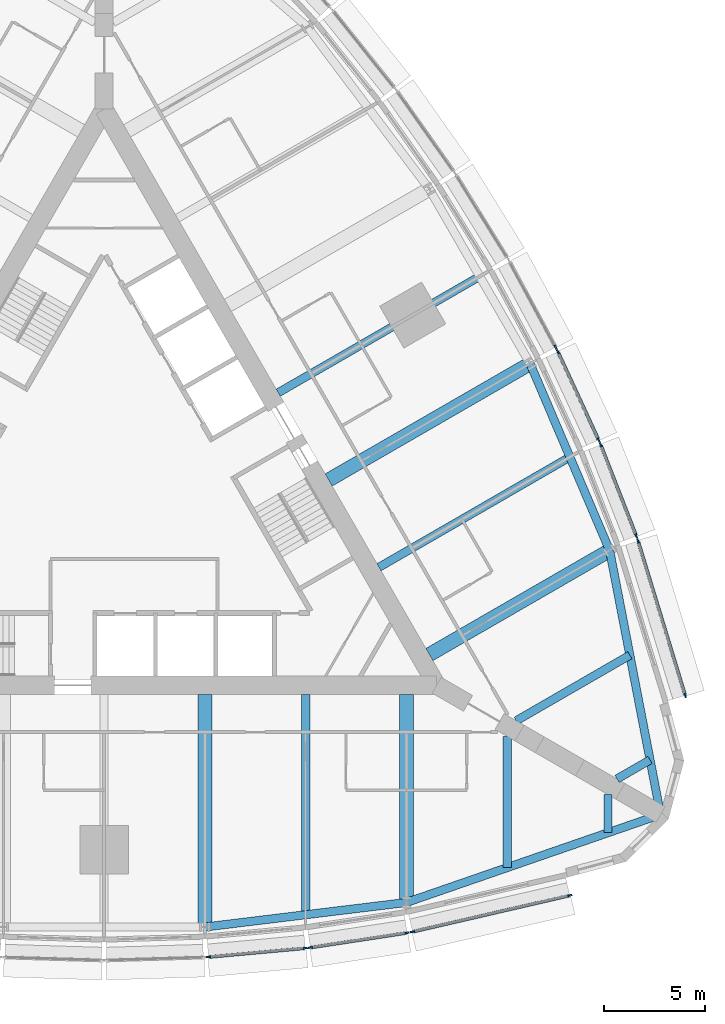
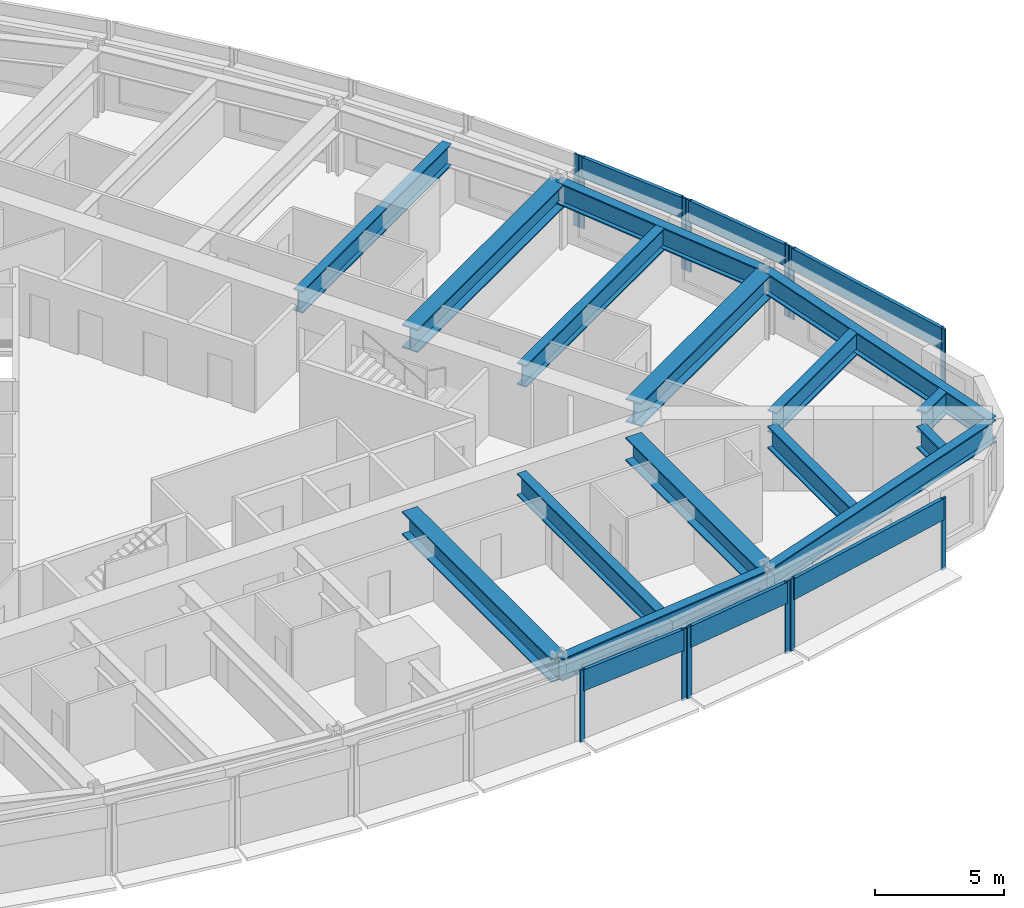
# One storey, part 3 of 14: 19 members, 15 beams, 7 elements without a shape of their own.
"""IFC4 building model written with IfcOpenShell, lengths in metres."""

import ifcopenshell
import ifcopenshell.guid

model = None  # the IFC model being written
_history = None  # IfcOwnerHistory: only IFC2X3 demands one
_inside = {}  # id of a spatial element -> (the spatial element, [elements in it])
_under = {}  # id of a project, library or spatial element -> (it, [spatial elements below it])
_declared = {}  # id of a project -> (the project, [libraries it declares])
_typed = {}  # id of a type object -> (the type object, [elements of that type])
_made_of = {}  # id of a material, layer set ... -> (it, [elements and type objects made of it])


def new_model(schema):
    """Start an empty IFC model of exactly this schema.

    Asked for "IFC4X3", IfcOpenShell would pick the latest addendum, in which some entities
    have other attributes; the version numbers below select the first issue.
    IFC2X3 requires an IfcOwnerHistory on every rooted entity: one is made here for all.
    """
    global model, _history
    if schema == "IFC4X3":
        model = ifcopenshell.file(schema_version=(4, 3, 0, 0))
    else:
        model = ifcopenshell.file(schema=schema)
    _inside.clear()
    _under.clear()
    _declared.clear()
    _typed.clear()
    _made_of.clear()
    _history = None
    if model.schema == "IFC2X3":
        org = make("IfcOrganization", Name="unknown")
        user = make(
            "IfcPersonAndOrganization",
            ThePerson=make("IfcPerson", FamilyName="unknown"),
            TheOrganization=org,
        )
        app = make(
            "IfcApplication",
            ApplicationDeveloper=org,
            Version="unknown",
            ApplicationFullName="unknown",
            ApplicationIdentifier="unknown",
        )
        _history = make(
            "IfcOwnerHistory",
            OwningUser=user,
            OwningApplication=app,
            ChangeAction="ADDED",
            CreationDate=0,
        )
    return model


def make(cls, **values):
    """One entity of the class cls with the attributes given. An attribute that is None is left unset."""
    return model.create_entity(
        cls, **{name: value for name, value in values.items() if value is not None}
    )


def rooted(cls, **values):
    """An entity with a GlobalId (a new one), such as an element, a storey or a relation."""
    return make(cls, GlobalId=ifcopenshell.guid.new(), OwnerHistory=_history, **values)


def si_unit(unit_type, name, prefix=None):
    """IfcSIUnit, for example si_unit("LENGTHUNIT", "METRE", prefix="MILLI")."""
    return make("IfcSIUnit", UnitType=unit_type, Prefix=prefix, Name=name)


def assignment(units):
    """IfcUnitAssignment: the units of a project."""
    return None if units is None else make("IfcUnitAssignment", Units=units)


def point(xyz):
    """IfcCartesianPoint."""
    return None if xyz is None else make("IfcCartesianPoint", Coordinates=xyz)


def direction(xyz):
    """IfcDirection."""
    return None if xyz is None else make("IfcDirection", DirectionRatios=xyz)


def frame(location, z_axis=None, x_axis=None):
    """IfcAxis2Placement3D, a coordinate frame: its origin and axes. An axis left out is left unset."""
    return make(
        "IfcAxis2Placement3D",
        Location=point(location),
        Axis=direction(z_axis),
        RefDirection=direction(x_axis),
    )


def frame_2d(location, x_axis=None):
    """IfcAxis2Placement2D, a coordinate frame in the plane: its origin and x axis."""
    return make(
        "IfcAxis2Placement2D", Location=point(location), RefDirection=direction(x_axis)
    )


def origin():
    """The frame at (0, 0, 0) with its axes left unset."""
    return frame((0.0, 0.0, 0.0))


def origin_2d():
    """The frame at (0, 0) in the plane with its x axis left unset."""
    return frame_2d((0.0, 0.0))


def place(relative_to, where):
    """IfcLocalPlacement: puts the frame where relative to a parent placement (None: the world)."""
    return make(
        "IfcLocalPlacement", PlacementRelTo=relative_to, RelativePlacement=where
    )


def context(
    kind, dimensions, precision=None, world=None, true_north=None, identifier=None
):
    """IfcGeometricRepresentationContext, for example the 3D "Model" context."""
    return make(
        "IfcGeometricRepresentationContext",
        ContextIdentifier=identifier,
        ContextType=kind,
        CoordinateSpaceDimension=dimensions,
        Precision=precision,
        WorldCoordinateSystem=world,
        TrueNorth=true_north,
    )


def subcontext(parent, identifier, kind, view, scale=None):
    """IfcGeometricRepresentationSubContext, for example "Body" below "Model"."""
    return make(
        "IfcGeometricRepresentationSubContext",
        ContextIdentifier=identifier,
        ContextType=kind,
        ParentContext=parent,
        TargetScale=scale,
        TargetView=view,
    )


def project(units=None, contexts=None):
    """IfcProject with its units and contexts."""
    return rooted(
        "IfcProject",
        Name="project",
        RepresentationContexts=contexts,
        UnitsInContext=assignment(units),
    )


def spatial(cls, under=None, at=None, **own):
    """A site, building, storey or space (cls), placed at a placement, below another one or the project."""
    s = rooted(cls, ObjectPlacement=at, **own)
    if under is not None:
        _under.setdefault(under.id(), (under, []))[1].append(s)
    return s


def profile(cls, at=None, kind="AREA", **sizes):
    """A parametric profile (cls). Its sizes go by their IFC names, for example OverallWidth=200.0."""
    return make(cls, ProfileType=kind, Position=at, **sizes)


def rectangle(**sizes):
    """IfcRectangleProfileDef."""
    return profile("IfcRectangleProfileDef", **sizes)


def i_section(**sizes):
    """IfcIShapeProfileDef."""
    return profile("IfcIShapeProfileDef", **sizes)


def extrude(swept, where, along, depth):
    """IfcExtrudedAreaSolid: the profile swept, set in the frame where, extruded along a direction by depth."""
    return make(
        "IfcExtrudedAreaSolid",
        SweptArea=swept,
        Position=where,
        ExtrudedDirection=direction(along),
        Depth=depth,
    )


def shape(context_of_items, identifier, shape_type, items):
    """IfcShapeRepresentation: the items that make up one representation, for example the "Body"."""
    return make(
        "IfcShapeRepresentation",
        ContextOfItems=context_of_items,
        RepresentationIdentifier=identifier,
        RepresentationType=shape_type,
        Items=items,
    )


def material(Name=None, Category=None):
    """IfcMaterial."""
    return make("IfcMaterial", Name=Name, Category=Category)


def material_profile(
    of_material, cross_section, Name=None, Category=None, Priority=None
):
    """IfcMaterialProfile: a cross section and its material."""
    return make(
        "IfcMaterialProfile",
        Name=Name,
        Material=of_material,
        Profile=cross_section,
        Priority=Priority,
        Category=Category,
    )


def profile_set(profiles, Name=None, composite=None):
    """IfcMaterialProfileSet."""
    return make(
        "IfcMaterialProfileSet",
        Name=Name,
        MaterialProfiles=profiles,
        CompositeProfile=composite,
    )


def made_of(thing, what):
    """Note that an element or type object is made of a material, layer set ...; save() writes the relation."""
    if what is not None:
        _made_of.setdefault(what.id(), (what, []))[1].append(thing)
    return thing


def type_object(cls, material=None, **own):
    """A type object (cls), such as IfcWallType, which elements share."""
    return made_of(rooted(cls, **own), material)


def element(
    cls,
    number,
    at=None,
    inside=None,
    cuts=None,
    type_object=None,
    material=None,
    context=None,
    identifier="Body",
    shape_type=None,
    held_by="IfcProductDefinitionShape",
    body=None,
    shapes=None,
    **own,
):
    """One element of the class cls, such as IfcWall. Its Tag is "e" and its number.

    at: its placement. inside: the storey or other place that contains it. cuts: it is an
    opening in that element (IfcRelVoidsElement). A single representation is given by context,
    identifier, shape_type and body (its items); several are given by shapes. held_by: the class
    of the entity that holds the representations. save() writes the other relations.
    """
    e = rooted(cls, Tag="e%d" % number, ObjectPlacement=at, **own)
    if body is not None:
        shapes = [shape(context, identifier, shape_type, body)]
    if shapes is not None:
        e.Representation = make(held_by, Representations=shapes)
    if inside is not None:
        _inside.setdefault(inside.id(), (inside, []))[1].append(e)
    if cuts is not None:
        rooted(
            "IfcRelVoidsElement", RelatingBuildingElement=cuts, RelatedOpeningElement=e
        )
    if type_object is not None:
        _typed.setdefault(type_object.id(), (type_object, []))[1].append(e)
    return made_of(e, material)


def aggregate(whole, parts):
    """IfcRelAggregates: a whole, such as a stair, and the parts it consists of."""
    return rooted("IfcRelAggregates", RelatingObject=whole, RelatedObjects=parts)


def save(model, path):
    """Write the relations noted so far, then the file.

    IfcRelAggregates (storeys below a building ...), IfcRelContainedInSpatialStructure (elements
    in a storey), IfcRelDefinesByType, IfcRelAssociatesMaterial and IfcRelDeclares: one each for
    every whole, place, type object, material and project.
    """
    for whole, parts in _under.values():
        aggregate(whole, parts)
    for where, things in _inside.values():
        rooted(
            "IfcRelContainedInSpatialStructure",
            RelatedElements=things,
            RelatingStructure=where,
        )
    for kind, things in _typed.values():
        rooted("IfcRelDefinesByType", RelatedObjects=things, RelatingType=kind)
    for what, things in _made_of.values():
        rooted("IfcRelAssociatesMaterial", RelatedObjects=things, RelatingMaterial=what)
    for by, libraries in _declared.values():
        rooted("IfcRelDeclares", RelatingContext=by, RelatedDefinitions=libraries)
    model.write(path)


model = new_model("IFC4")

# Units and contexts
model_context = context("Model", 3, precision=1e-05, world=origin(), true_north=direction((0.0, 1.0)))
body_context = subcontext(model_context, "Body", "Model", "MODEL_VIEW")
ifc_project = project(units=[si_unit("LENGTHUNIT", "METRE"), si_unit("AREAUNIT", "SQUARE_METRE"), si_unit("VOLUMEUNIT", "CUBIC_METRE"), si_unit("PLANEANGLEUNIT", "RADIAN"), si_unit("MASSUNIT", "GRAM", prefix="KILO")], contexts=[model_context])

# Site, building, storey
site_placement = place(None, origin())
site = spatial("IfcSite", under=ifc_project, at=site_placement, CompositionType="ELEMENT")
building_placement = place(site_placement, origin())
building = spatial("IfcBuilding", under=site, at=building_placement, Name="Trikona Tower", CompositionType="ELEMENT")
storey_placement = place(building_placement, frame((0.0, 0.0, 99.89990234375)))
storey = spatial("IfcBuildingStorey", under=building, at=storey_placement, Name="L26", CompositionType="ELEMENT", Elevation=99.89990234375)

# Curtain wall, members
ifc_material_1 = material(Name="Aluminium curtain wall system", Category="aluminium")
curtain_wall_type = type_object("IfcCurtainWallType", Name="Curtain wall DS1S", PredefinedType="NOTDEFINED", material=ifc_material_1)
curtain_wall_1_placement = place(storey_placement, origin())
curtain_wall_1 = element("IfcCurtainWall", 1, at=curtain_wall_1_placement, inside=storey, type_object=curtain_wall_type, Name="Curtain wall DS1S L26", PredefinedType="NOTDEFINED")
ifc_material_2 = material(Name="Aluminium mullion, pale anodised", Category="aluminium")
ifc_material_profile_1 = material_profile(ifc_material_2, rectangle(XDim=0.080078125, YDim=0.219970703125, at=origin_2d()), Name="MUL-DS1S")
ifc_profile_set_1 = profile_set([ifc_material_profile_1], Name="Aluminium mullion, pale anodised")
member_type_1 = type_object("IfcMemberType", Name="Mullion DS1S 80x220", PredefinedType="MULLION", material=ifc_profile_set_1)
member_1_placement = place(storey_placement, frame((5.181396484375, -23.007568359375, 0.0), z_axis=(0.0, 0.0, 1.0), x_axis=(-0.090923932737, 0.995857840485, 0.0)))
member_1 = element("IfcMember", 2, at=member_1_placement, type_object=member_type_1, Name="CW-DS1S mullion 1", PredefinedType="MULLION", context=body_context, shape_type="SweptSolid", body=[
    extrude(rectangle(XDim=0.080078125, YDim=0.219970703125, at=origin_2d()), origin(), (0.0, 0.0, 1.0), 3.400146484375),
])
member_2_placement = place(storey_placement, frame((9.982177734375, -22.5693359375, 0.0), z_axis=(0.0, 0.0, 1.0), x_axis=(-0.090923932737, 0.995857840485, 0.0)))
member_2 = element("IfcMember", 3, at=member_2_placement, type_object=member_type_1, Name="CW-DS1S mullion 2", PredefinedType="MULLION", context=body_context, shape_type="SweptSolid", body=[
    extrude(rectangle(XDim=0.080078125, YDim=0.219970703125, at=origin_2d()), origin(), (0.0, 0.0, 1.0), 3.400146484375),
])

curtain_wall_2_placement = place(storey_placement, origin())
curtain_wall_2 = element("IfcCurtainWall", 4, at=curtain_wall_2_placement, inside=storey, type_object=curtain_wall_type, Name="Curtain wall DS1S L26", PredefinedType="NOTDEFINED")
member_3_placement = place(storey_placement, frame((10.234130859375, -22.53857421875, 0.0), z_axis=(0.0, 0.0, 1.0), x_axis=(-0.150437693845, 0.988619492156, 0.0)))
member_3 = element("IfcMember", 5, at=member_3_placement, type_object=member_type_1, Name="CW-DS1S mullion 1", PredefinedType="MULLION", context=body_context, shape_type="SweptSolid", body=[
    extrude(rectangle(XDim=0.080078125, YDim=0.219970703125, at=origin_2d()), origin(), (0.0, 0.0, 1.0), 3.400146484375),
])
member_4_placement = place(storey_placement, frame((15.03662109375, -21.807861328125, 0.0), z_axis=(0.0, 0.0, 1.0), x_axis=(-0.150437693845, 0.988619492156, 0.0)))
member_4 = element("IfcMember", 6, at=member_4_placement, type_object=member_type_1, Name="CW-DS1S mullion 2", PredefinedType="MULLION", context=body_context, shape_type="SweptSolid", body=[
    extrude(rectangle(XDim=0.080078125, YDim=0.219970703125, at=origin_2d()), origin(), (0.0, 0.0, 1.0), 3.400146484375),
])

curtain_wall_3_placement = place(storey_placement, origin())
curtain_wall_3 = element("IfcCurtainWall", 7, at=curtain_wall_3_placement, inside=storey, type_object=curtain_wall_type, Name="Curtain wall DS1S L26", PredefinedType="NOTDEFINED")
member_5_placement = place(storey_placement, frame((15.30029296875, -21.75732421875, 0.0), z_axis=(0.0, 0.0, 1.0), x_axis=(-0.225343288756, 0.974279427173, 0.0)))
member_5 = element("IfcMember", 8, at=member_5_placement, type_object=member_type_1, Name="CW-DS1S mullion 1", PredefinedType="MULLION", context=body_context, shape_type="SweptSolid", body=[
    extrude(rectangle(XDim=0.080078125, YDim=0.219970703125, at=origin_2d()), origin(), (0.0, 0.0, 1.0), 3.400146484375),
])
member_6_placement = place(storey_placement, frame((23.10546875, -19.951904296875, 0.0), z_axis=(0.0, 0.0, 1.0), x_axis=(-0.225343288756, 0.974279427173, 0.0)))
member_6 = element("IfcMember", 9, at=member_6_placement, type_object=member_type_1, Name="CW-DS1S mullion 2", PredefinedType="MULLION", context=body_context, shape_type="SweptSolid", body=[
    extrude(rectangle(XDim=0.080078125, YDim=0.219970703125, at=origin_2d()), origin(), (0.0, 0.0, 1.0), 3.400146484375),
])

curtain_wall_4_placement = place(storey_placement, origin())
curtain_wall_4 = element("IfcCurtainWall", 10, at=curtain_wall_4_placement, inside=storey, type_object=curtain_wall_type, Name="Curtain wall DS1S L26", PredefinedType="NOTDEFINED")
member_7_placement = place(storey_placement, frame((28.83154296875, -10.033935546875, 0.0), z_axis=(0.0, 0.0, 1.0), x_axis=(-0.956423115383, -0.291984287868, 0.0)))
member_7 = element("IfcMember", 11, at=member_7_placement, type_object=member_type_1, Name="CW-DS1S mullion 1", PredefinedType="MULLION", context=body_context, shape_type="SweptSolid", body=[
    extrude(rectangle(XDim=0.080078125, YDim=0.219970703125, at=origin_2d()), origin(), (0.0, 0.0, 1.0), 3.400146484375),
])
member_8_placement = place(storey_placement, frame((26.492431640625, -2.371826171875, 0.0), z_axis=(0.0, 0.0, 1.0), x_axis=(-0.956423115383, -0.291984287868, 0.0)))
member_8 = element("IfcMember", 12, at=member_8_placement, type_object=member_type_1, Name="CW-DS1S mullion 2", PredefinedType="MULLION", context=body_context, shape_type="SweptSolid", body=[
    extrude(rectangle(XDim=0.080078125, YDim=0.219970703125, at=origin_2d()), origin(), (0.0, 0.0, 1.0), 3.400146484375),
])

curtain_wall_5_placement = place(storey_placement, origin())
curtain_wall_5 = element("IfcCurtainWall", 13, at=curtain_wall_5_placement, inside=storey, type_object=curtain_wall_type, Name="Curtain wall DS1S L26", PredefinedType="NOTDEFINED")
member_9_placement = place(storey_placement, frame((26.404296875, -2.1181640625, 0.0), z_axis=(0.0, 0.0, 1.0), x_axis=(-0.931395989443, -0.36400756977, 0.0)))
member_9 = element("IfcMember", 14, at=member_9_placement, type_object=member_type_1, Name="CW-DS1S mullion 1", PredefinedType="MULLION", context=body_context, shape_type="SweptSolid", body=[
    extrude(rectangle(XDim=0.080078125, YDim=0.219970703125, at=origin_2d()), origin(), (0.0, 0.0, 1.0), 3.400146484375),
])
member_10_placement = place(storey_placement, frame((24.63623046875, 2.40625, 0.0), z_axis=(0.0, 0.0, 1.0), x_axis=(-0.931395989443, -0.36400756977, 0.0)))
member_10 = element("IfcMember", 15, at=member_10_placement, type_object=member_type_1, Name="CW-DS1S mullion 2", PredefinedType="MULLION", context=body_context, shape_type="SweptSolid", body=[
    extrude(rectangle(XDim=0.080078125, YDim=0.219970703125, at=origin_2d()), origin(), (0.0, 0.0, 1.0), 3.400146484375),
])

curtain_wall_6_placement = place(storey_placement, origin())
curtain_wall_6 = element("IfcCurtainWall", 16, at=curtain_wall_6_placement, inside=storey, type_object=curtain_wall_type, Name="Curtain wall DS1S L26", PredefinedType="NOTDEFINED")
member_11_placement = place(storey_placement, frame((24.53662109375, 2.6396484375, 0.0), z_axis=(0.0, 0.0, 1.0), x_axis=(-0.907898459992, -0.419190155352, 0.0)))
member_11 = element("IfcMember", 17, at=member_11_placement, type_object=member_type_1, Name="CW-DS1S mullion 1", PredefinedType="MULLION", context=body_context, shape_type="SweptSolid", body=[
    extrude(rectangle(XDim=0.080078125, YDim=0.219970703125, at=origin_2d()), origin(), (0.0, 0.0, 1.0), 3.400146484375),
])
member_12_placement = place(storey_placement, frame((22.515869140625, 7.0166015625, 0.0), z_axis=(0.0, 0.0, 1.0), x_axis=(-0.907898459992, -0.419190155352, 0.0)))
member_12 = element("IfcMember", 18, at=member_12_placement, type_object=member_type_1, Name="CW-DS1S mullion 2", PredefinedType="MULLION", context=body_context, shape_type="SweptSolid", body=[
    extrude(rectangle(XDim=0.080078125, YDim=0.219970703125, at=origin_2d()), origin(), (0.0, 0.0, 1.0), 3.400146484375),
])

# Curtain wall, member
curtain_wall_7_placement = place(storey_placement, origin())
curtain_wall_7 = element("IfcCurtainWall", 19, at=curtain_wall_7_placement, inside=storey, type_object=curtain_wall_type, Name="Curtain wall DS1S L26", PredefinedType="NOTDEFINED")
member_13_placement = place(storey_placement, frame((22.402099609375, 7.244140625, 0.0), z_axis=(0.0, 0.0, 1.0), x_axis=(-0.880843080975, -0.473408350896, 0.0)))
member_13 = element("IfcMember", 20, at=member_13_placement, type_object=member_type_1, Name="CW-DS1S mullion 1", PredefinedType="MULLION", context=body_context, shape_type="SweptSolid", body=[
    extrude(rectangle(XDim=0.080078125, YDim=0.219970703125, at=origin_2d()), origin(), (0.0, 0.0, 1.0), 3.400146484375),
])
aggregate(curtain_wall_7, [member_13])

# Beams
ifc_material_3 = material(Name="Steel ASTM A992 Grade 50", Category="steel")
ifc_material_profile_2 = material_profile(ifc_material_3, i_section(OverallWidth=0.699951171875, OverallDepth=1.10009765625, WebThickness=0.0400390625, FlangeThickness=0.06005859375, at=origin_2d()), Name="PG1100X700")
ifc_profile_set_2 = profile_set([ifc_material_profile_2], Name="Steel ASTM A992 Grade 50")
beam_type_1 = type_object("IfcBeamType", Name="Steel beam PG1100x700 (belt chord radial)", PredefinedType="BEAM", material=ifc_profile_set_2)
beam_1_placement = place(storey_placement, frame((5.0, -9.976318359375, 2.60009765625), z_axis=(0.0, -1.0, 0.0), x_axis=(1.0, 0.0, 0.0)))
element("IfcBeam", 21, at=beam_1_placement, inside=storey, type_object=beam_type_1, Name="Floor beam L27 F1 u5", PredefinedType="BEAM", context=body_context, shape_type="SweptSolid", body=[
    extrude(i_section(OverallWidth=0.699951171875, OverallDepth=1.10009765625, WebThickness=0.0400390625, FlangeThickness=0.06005859375, at=origin_2d()), origin(), (0.0, 0.0, 1.0), 11.544189453125),
])
beam_2_placement = place(storey_placement, frame((15.0, -9.976318359375, 2.60009765625), z_axis=(0.0, -1.0, 0.0), x_axis=(1.0, 0.0, 0.0)))
element("IfcBeam", 22, at=beam_2_placement, inside=storey, type_object=beam_type_1, Name="Floor beam L27 F1 u15", PredefinedType="BEAM", context=body_context, shape_type="SweptSolid", body=[
    extrude(i_section(OverallWidth=0.699951171875, OverallDepth=1.10009765625, WebThickness=0.0400390625, FlangeThickness=0.06005859375, at=origin_2d()), origin(), (0.0, 0.0, 1.0), 10.32666015625),
])
beam_3_placement = place(storey_placement, frame((16.1396484375, -8.002197265625, 2.60009765625), z_axis=(0.866030471684, 0.499991222037, 0.0), x_axis=(-0.499991222037, 0.866030471684, 0.0)))
element("IfcBeam", 23, at=beam_3_placement, inside=storey, type_object=beam_type_1, Name="Floor beam L27 F2 u-15", PredefinedType="BEAM", context=body_context, shape_type="SweptSolid", body=[
    extrude(i_section(OverallWidth=0.699951171875, OverallDepth=1.10009765625, WebThickness=0.0400390625, FlangeThickness=0.06005859375, at=origin_2d()), origin(), (0.0, 0.0, 1.0), 10.326904296875),
])
beam_4_placement = place(storey_placement, frame((11.1396484375, 0.657958984375, 2.60009765625), z_axis=(0.866020765707, 0.500008033299, 0.0), x_axis=(-0.500008033299, 0.866020765707, 0.0)))
element("IfcBeam", 24, at=beam_4_placement, inside=storey, type_object=beam_type_1, Name="Floor beam L27 F2 u-5", PredefinedType="BEAM", context=body_context, shape_type="SweptSolid", body=[
    extrude(i_section(OverallWidth=0.699951171875, OverallDepth=1.10009765625, WebThickness=0.0400390625, FlangeThickness=0.06005859375, at=origin_2d()), origin(), (0.0, 0.0, 1.0), 11.544189453125),
])
ifc_material_4 = material(Name="Steel ASTM A992 Grade 50", Category="steel")
ifc_material_profile_3 = material_profile(ifc_material_4, i_section(OverallWidth=0.408935546875, OverallDepth=1.04150390625, WebThickness=0.031005859375, FlangeThickness=0.055908203125, at=origin_2d()), Name="W40X397")
ifc_profile_set_3 = profile_set([ifc_material_profile_3], Name="Steel ASTM A992 Grade 50")
beam_type_2 = type_object("IfcBeamType", Name="Steel beam W40x397 (plant spandrel)", PredefinedType="SPANDREL", material=ifc_profile_set_3)
beam_5_placement = place(storey_placement, frame((5.0, -21.5205078125, 2.62939453125), z_axis=(0.99266951126, 0.120860421207, 0.0), x_axis=(-0.120860421207, 0.99266951126, 0.0)))
element("IfcBeam", 25, at=beam_5_placement, inside=storey, type_object=beam_type_2, Name="Spandrel beam L27 F1-4", PredefinedType="SPANDREL", context=body_context, shape_type="SweptSolid", body=[
    extrude(i_section(OverallWidth=0.408935546875, OverallDepth=1.04150390625, WebThickness=0.031005859375, FlangeThickness=0.055908203125, at=origin_2d()), origin(), (0.0, 0.0, 1.0), 10.07373046875),
])
for number, where, z_axis, x_axis, name in (
    (26, (15.0, -20.302978515625, 2.62939453125), (0.945056965739, 0.326905692071, 0.0), (-0.326905692071, 0.945056965739, 0.0), "Spandrel beam L27 F1-5"),
    (27, (27.6103515625, -15.94091796875, 2.62939453125), (-0.189405184036, 0.981899015307, 0.0), (-0.981899015307, -0.189405184036, 0.0), "Spandrel beam L27 F2-1"),
):
    element("IfcBeam", number, at=place(storey_placement, frame(where, z_axis=z_axis, x_axis=x_axis)), inside=storey, type_object=beam_type_2, Name=name, PredefinedType="SPANDREL", context=body_context, shape_type="SweptSolid", body=[
        extrude(i_section(OverallWidth=0.408935546875, OverallDepth=1.04150390625, WebThickness=0.031005859375, FlangeThickness=0.055908203125, at=origin_2d()), origin(), (0.0, 0.0, 1.0), 13.343505859375),
    ])
beam_6_placement = place(storey_placement, frame((25.0830078125, -2.8388671875, 2.62939453125), z_axis=(-0.391683514847, 0.920100007715, 0.0), x_axis=(-0.920100007715, -0.391683514847, 0.0)))
element("IfcBeam", 28, at=beam_6_placement, inside=storey, type_object=beam_type_2, Name="Spandrel beam L27 F2-2", PredefinedType="SPANDREL", context=body_context, shape_type="SweptSolid", body=[
    extrude(i_section(OverallWidth=0.408935546875, OverallDepth=1.04150390625, WebThickness=0.031005859375, FlangeThickness=0.055908203125, at=origin_2d()), origin(), (0.0, 0.0, 1.0), 10.073974609375),
])
ifc_material_5 = material(Name="Steel ASTM A992 Grade 50", Category="steel")
ifc_material_profile_4 = material_profile(ifc_material_5, i_section(OverallWidth=0.408935546875, OverallDepth=1.04150390625, WebThickness=0.031005859375, FlangeThickness=0.055908203125, at=origin_2d()), Name="W40X397")
ifc_profile_set_4 = profile_set([ifc_material_profile_4], Name="Steel ASTM A992 Grade 50")
beam_type_3 = type_object("IfcBeamType", Name="Steel beam W40x397 (plant)", PredefinedType="BEAM", material=ifc_profile_set_4)
beam_7_placement = place(storey_placement, frame((10.0, -9.976318359375, 2.62939453125), z_axis=(0.0, -1.0, 0.0), x_axis=(1.0, 0.0, 0.0)))
element("IfcBeam", 29, at=beam_7_placement, inside=storey, type_object=beam_type_3, Name="Floor beam L27 F1 u10", PredefinedType="BEAM", context=body_context, shape_type="SweptSolid", body=[
    extrude(i_section(OverallWidth=0.408935546875, OverallDepth=1.04150390625, WebThickness=0.031005859375, FlangeThickness=0.055908203125, at=origin_2d()), origin(), (0.0, 0.0, 1.0), 10.935302734375),
])
beam_8_placement = place(storey_placement, frame((13.6396484375, -3.672119140625, 2.62939453125), z_axis=(0.866025348605, 0.500000095573, 0.0), x_axis=(-0.500000095573, 0.866025348605, 0.0)))
element("IfcBeam", 30, at=beam_8_placement, inside=storey, type_object=beam_type_3, Name="Floor beam L27 F2 u-10", PredefinedType="BEAM", context=body_context, shape_type="SweptSolid", body=[
    extrude(i_section(OverallWidth=0.408935546875, OverallDepth=1.04150390625, WebThickness=0.031005859375, FlangeThickness=0.055908203125, at=origin_2d()), origin(), (0.0, 0.0, 1.0), 10.935546875),
])
beam_9_placement = place(storey_placement, frame((8.6396484375, 4.988037109375, 2.62939453125), z_axis=(0.866020765707, 0.500008033299, 0.0), x_axis=(-0.500008033299, 0.866020765707, 0.0)))
element("IfcBeam", 31, at=beam_9_placement, inside=storey, type_object=beam_type_3, Name="Floor beam L27 F2 u0", PredefinedType="BEAM", context=body_context, shape_type="SweptSolid", body=[
    extrude(i_section(OverallWidth=0.408935546875, OverallDepth=1.04150390625, WebThickness=0.031005859375, FlangeThickness=0.055908203125, at=origin_2d()), origin(), (0.0, 0.0, 1.0), 11.544189453125),
])
ifc_material_6 = material(Name="Steel ASTM A992 Grade 50", Category="steel")
ifc_material_profile_5 = material_profile(ifc_material_6, i_section(OverallWidth=0.411376953125, OverallDepth=1.049072265625, WebThickness=0.033935546875, FlangeThickness=0.06005859375, at=origin_2d()), Name="W40X431")
ifc_profile_set_5 = profile_set([ifc_material_profile_5], Name="Steel ASTM A992 Grade 50")
beam_type_4 = type_object("IfcBeamType", Name="Steel beam W40x431 (plant wedge)", PredefinedType="BEAM", material=ifc_profile_set_5)
beam_10_placement = place(storey_placement, frame((20.0, -12.066650390625, 2.62548828125), z_axis=(0.0, -1.0, 0.0), x_axis=(1.0, 0.0, 0.0)))
element("IfcBeam", 32, at=beam_10_placement, inside=storey, type_object=beam_type_4, Name="Floor beam L27 F1 u20", PredefinedType="BEAM", context=body_context, shape_type="SweptSolid", body=[
    extrude(i_section(OverallWidth=0.411376953125, OverallDepth=1.049072265625, WebThickness=0.033935546875, FlangeThickness=0.06005859375, at=origin_2d()), origin(), (0.0, 0.0, 1.0), 6.5068359375),
])
for number, where, z_axis, x_axis, name in (
    (33, (25.0, -14.953369140625, 2.62548828125), (0.0, -1.0, 0.0), (1.0, 0.0, 0.0), "Floor beam L27 F1 u25"),
    (34, (25.449951171875, -14.173828125, 2.62548828125), (0.866065156741, 0.499931139538, 0.0), (-0.499931139538, 0.866065156741, 0.0), "Floor beam L27 F2 u-25"),
):
    element("IfcBeam", number, at=place(storey_placement, frame(where, z_axis=z_axis, x_axis=x_axis)), inside=storey, type_object=beam_type_4, Name=name, PredefinedType="BEAM", context=body_context, shape_type="SweptSolid", body=[
        extrude(i_section(OverallWidth=0.411376953125, OverallDepth=1.049072265625, WebThickness=0.033935546875, FlangeThickness=0.06005859375, at=origin_2d()), origin(), (0.0, 0.0, 1.0), 1.890380859375),
    ])
beam_11_placement = place(storey_placement, frame((20.449951171875, -11.287109375, 2.62548828125), z_axis=(0.866022504693, 0.50000502134, 0.0), x_axis=(-0.50000502134, 0.866022504693, 0.0)))
element("IfcBeam", 35, at=beam_11_placement, inside=storey, type_object=beam_type_4, Name="Floor beam L27 F2 u-20", PredefinedType="BEAM", context=body_context, shape_type="SweptSolid", body=[
    extrude(i_section(OverallWidth=0.411376953125, OverallDepth=1.049072265625, WebThickness=0.033935546875, FlangeThickness=0.06005859375, at=origin_2d()), origin(), (0.0, 0.0, 1.0), 6.5068359375),
])

# Member
ifc_material_7 = material(Name="Aluminium transom, pale anodised", Category="aluminium")
ifc_material_profile_6 = material_profile(ifc_material_7, rectangle(XDim=0.159912109375, YDim=1.0, at=origin_2d()), Name="TRN-DS1S")
ifc_profile_set_6 = profile_set([ifc_material_profile_6], Name="Aluminium transom, pale anodised")
member_type_2 = type_object("IfcMemberType", Name="Transom DS1S 1000x160", PredefinedType="USERDEFINED", material=ifc_profile_set_6)
member_14_placement = place(storey_placement, frame((5.22119140625, -23.00390625, 2.900146484375), z_axis=(0.995855977008, 0.090944340438, 0.0), x_axis=(-0.090944340438, 0.995855977008, 0.0)))
member_14 = element("IfcMember", 36, at=member_14_placement, type_object=member_type_2, Name="CW-DS1S transom 1.1", ObjectType="TRANSOM", PredefinedType="USERDEFINED", context=body_context, shape_type="SweptSolid", body=[
    extrude(rectangle(XDim=0.159912109375, YDim=1.0, at=origin_2d()), origin(), (0.0, 0.0, 1.0), 4.74072265625),
])

aggregate(curtain_wall_1, [member_1, member_2, member_14])

member_15_placement = place(storey_placement, frame((10.273681640625, -22.532470703125, 2.900146484375), z_axis=(0.988619663412, 0.150436568413, 0.0), x_axis=(-0.150436568413, 0.988619663412, 0.0)))
member_15 = element("IfcMember", 37, at=member_15_placement, type_object=member_type_2, Name="CW-DS1S transom 1.1", ObjectType="TRANSOM", PredefinedType="USERDEFINED", context=body_context, shape_type="SweptSolid", body=[
    extrude(rectangle(XDim=0.159912109375, YDim=1.0, at=origin_2d()), origin(), (0.0, 0.0, 1.0), 4.77783203125),
])

aggregate(curtain_wall_2, [member_3, member_4, member_15])

member_16_placement = place(storey_placement, frame((15.33935546875, -21.748291015625, 2.900146484375), z_axis=(0.974275371842, 0.225360821398, 0.0), x_axis=(-0.225360821398, 0.974275371842, 0.0)))
member_16 = element("IfcMember", 38, at=member_16_placement, type_object=member_type_2, Name="CW-DS1S transom 1.1", ObjectType="TRANSOM", PredefinedType="USERDEFINED", context=body_context, shape_type="SweptSolid", body=[
    extrude(rectangle(XDim=0.159912109375, YDim=1.0, at=origin_2d()), origin(), (0.0, 0.0, 1.0), 7.93115234375),
])

aggregate(curtain_wall_3, [member_5, member_6, member_16])

member_17_placement = place(storey_placement, frame((28.81982421875, -9.99560546875, 2.900146484375), z_axis=(-0.291967490203, 0.956428243343, 0.0), x_axis=(-0.956428243343, -0.291967490203, 0.0)))
member_17 = element("IfcMember", 39, at=member_17_placement, type_object=member_type_2, Name="CW-DS1S transom 1.1", ObjectType="TRANSOM", PredefinedType="USERDEFINED", context=body_context, shape_type="SweptSolid", body=[
    extrude(rectangle(XDim=0.159912109375, YDim=1.0, at=origin_2d()), origin(), (0.0, 0.0, 1.0), 7.93115234375),
])

aggregate(curtain_wall_4, [member_7, member_8, member_17])

member_18_placement = place(storey_placement, frame((26.389892578125, -2.080810546875, 2.900146484375), z_axis=(-0.364048647668, 0.931379934362, 0.0), x_axis=(-0.931379934362, -0.364048647668, 0.0)))
member_18 = element("IfcMember", 40, at=member_18_placement, type_object=member_type_2, Name="CW-DS1S transom 1.1", ObjectType="TRANSOM", PredefinedType="USERDEFINED", context=body_context, shape_type="SweptSolid", body=[
    extrude(rectangle(XDim=0.159912109375, YDim=1.0, at=origin_2d()), origin(), (0.0, 0.0, 1.0), 4.777587890625),
])

aggregate(curtain_wall_5, [member_9, member_10, member_18])

member_19_placement = place(storey_placement, frame((24.52001953125, 2.676025390625, 2.900146484375), z_axis=(-0.419188800665, 0.90789908547, 0.0), x_axis=(-0.90789908547, -0.419188800665, 0.0)))
member_19 = element("IfcMember", 41, at=member_19_placement, type_object=member_type_2, Name="CW-DS1S transom 1.1", ObjectType="TRANSOM", PredefinedType="USERDEFINED", context=body_context, shape_type="SweptSolid", body=[
    extrude(rectangle(XDim=0.159912109375, YDim=1.0, at=origin_2d()), origin(), (0.0, 0.0, 1.0), 4.74072265625),
])

aggregate(curtain_wall_6, [member_11, member_12, member_19])

save(model, "model.ifc")
